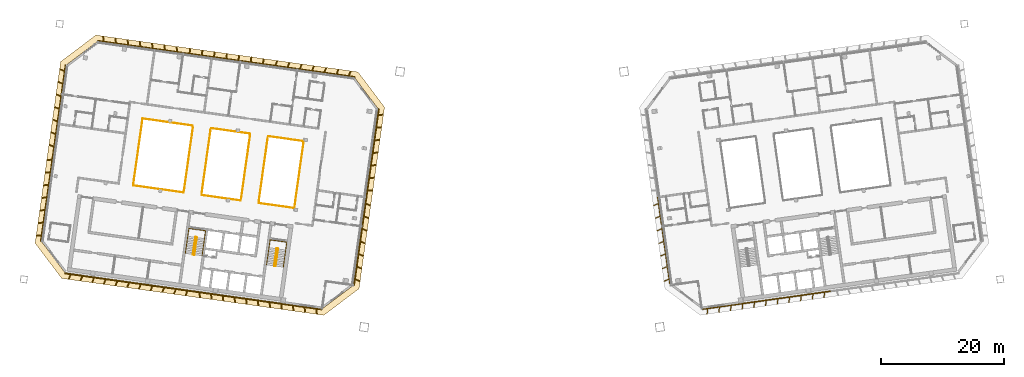
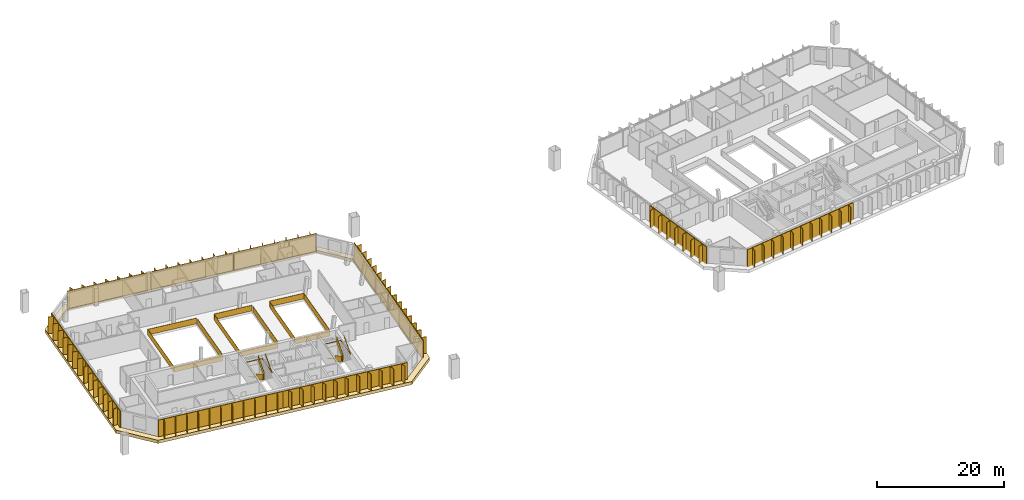
# One storey, part 19 of 20: 12 railings, 11 shading devices, 1 covering.
"""IFC4 building model written with IfcOpenShell, lengths in metres."""

from ifc_helpers import new_model, si_unit, direction, frame, origin, origin_2d, place, context, subcontext, project, spatial, polyline, rectangle, outline, extrude, material, layer, layer_set, type_object, element, save


model = new_model("IFC4")

# Units and contexts
model_context = context("Model", 3, precision=1e-05, world=origin(), true_north=direction((0.0, 1.0)))
body_context = subcontext(model_context, "Body", "Model", "MODEL_VIEW")
ifc_project = project(units=[si_unit("LENGTHUNIT", "METRE"), si_unit("AREAUNIT", "SQUARE_METRE"), si_unit("VOLUMEUNIT", "CUBIC_METRE"), si_unit("PLANEANGLEUNIT", "RADIAN"), si_unit("MASSUNIT", "GRAM", prefix="KILO")], contexts=[model_context])

# Site, building, storey
site_placement = place(None, origin())
site = spatial("IfcSite", under=ifc_project, at=site_placement, CompositionType="ELEMENT")
building_placement = place(site_placement, origin())
building = spatial("IfcBuilding", under=site, at=building_placement, Name="Mirante Cascada Hotel Towers", CompositionType="ELEMENT")
storey_placement = place(building_placement, frame((0.0, 0.0, 224.2)))
storey = spatial("IfcBuildingStorey", under=building, at=storey_placement, Name="L53", CompositionType="ELEMENT", Elevation=224.2)

# Railings
ifc_material_1 = material(Name="Toughened glass with stainless steel handrail", Category="steel")
railing_type_1 = type_object("IfcRailingType", Name="Atrium guard 1100 glass balustrade", PredefinedType="GUARDRAIL", material=ifc_material_1)
railing_1_placement = place(storey_placement, frame((-39.6676, 7.0334, 0.0)))
element("IfcRailing", 1, at=railing_1_placement, inside=storey, type_object=railing_type_1, Name="GUARD 1-L53-1", PredefinedType="GUARDRAIL", context=body_context, shape_type="SweptSolid", body=[
    extrude(rectangle(XDim=0.048, YDim=0.048, at=origin_2d()), frame((0.0, 0.0, 1.076), z_axis=(0.9902677, -0.139176, 0.0), x_axis=(0.139176, 0.9902677, 0.0)), (0.0, 0.0, 1.0), 5.8307),
    extrude(rectangle(XDim=0.02, YDim=1.052, at=origin_2d()), frame((0.0, 0.0, 0.526), z_axis=(0.9902677, -0.139176, 0.0), x_axis=(0.139176, 0.9902677, 0.0)), (0.0, 0.0, 1.0), 5.8307),
    extrude(rectangle(XDim=0.048, YDim=0.048, at=origin_2d()), frame((5.774, -0.8115, 1.076), z_axis=(-0.1391733, -0.990268, 0.0), x_axis=(0.990268, -0.1391733, 0.0)), (0.0, 0.0, 1.0), 11.0),
    extrude(rectangle(XDim=0.02, YDim=1.052, at=origin_2d()), frame((5.774, -0.8115, 0.526), z_axis=(-0.1391733, -0.990268, 0.0), x_axis=(0.990268, -0.1391733, 0.0)), (0.0, 0.0, 1.0), 11.0),
    extrude(rectangle(XDim=0.048, YDim=0.048, at=origin_2d()), frame((4.2431, -11.7044, 1.076), z_axis=(-0.99027, 0.1391592, 0.0), x_axis=(-0.1391592, -0.99027, 0.0)), (0.0, 0.0, 1.0), 5.8307),
    extrude(rectangle(XDim=0.02, YDim=1.052, at=origin_2d()), frame((4.2431, -11.7044, 0.526), z_axis=(-0.99027, 0.1391592, 0.0), x_axis=(-0.1391592, -0.99027, 0.0)), (0.0, 0.0, 1.0), 5.8307),
])
railing_2_placement = place(storey_placement, frame((-44.1693, -3.4421, 0.0)))
element("IfcRailing", 2, at=railing_2_placement, inside=storey, type_object=railing_type_1, Name="GUARD 1-L53-2", PredefinedType="GUARDRAIL", context=body_context, shape_type="SweptSolid", body=[
    extrude(rectangle(XDim=0.048, YDim=0.048, at=origin_2d()), frame((0.0, 0.0, 1.076), z_axis=(-0.9902678, 0.1391752, 0.0), x_axis=(-0.1391752, -0.9902678, 0.0)), (0.0, 0.0, 1.0), 6.3898),
    extrude(rectangle(XDim=0.02, YDim=1.052, at=origin_2d()), frame((0.0, 0.0, 0.526), z_axis=(-0.9902678, 0.1391752, 0.0), x_axis=(-0.1391752, -0.9902678, 0.0)), (0.0, 0.0, 1.0), 6.3898),
    extrude(rectangle(XDim=0.048, YDim=0.048, at=origin_2d()), frame((-6.3276, 0.8893, 1.076), z_axis=(1.0, 0.0, 0.0), x_axis=(0.0, 1.0, 0.0)), (0.0, 0.0, 1.0), 0.0001),
    extrude(rectangle(XDim=0.02, YDim=1.052, at=origin_2d()), frame((-6.3276, 0.8893, 0.526), z_axis=(1.0, 0.0, 0.0), x_axis=(0.0, 1.0, 0.0)), (0.0, 0.0, 1.0), 0.0001),
])
railing_3_placement = place(storey_placement, frame((-48.9659, 8.3402, 0.0)))
element("IfcRailing", 3, at=railing_3_placement, inside=storey, type_object=railing_type_1, Name="GUARD 1-L53-3", PredefinedType="GUARDRAIL", context=body_context, shape_type="SweptSolid", body=[
    extrude(rectangle(XDim=0.048, YDim=0.048, at=origin_2d()), frame((0.0, 0.0, 1.076), z_axis=(0.9902675, -0.1391774, 0.0), x_axis=(0.1391774, 0.9902675, 0.0)), (0.0, 0.0, 1.0), 6.3897),
    extrude(rectangle(XDim=0.02, YDim=1.052, at=origin_2d()), frame((0.0, 0.0, 0.526), z_axis=(0.9902675, -0.1391774, 0.0), x_axis=(0.1391774, 0.9902675, 0.0)), (0.0, 0.0, 1.0), 6.3897),
])
railing_4_placement = place(storey_placement, frame((-53.4677, -2.1352, 0.0)))
element("IfcRailing", 4, at=railing_4_placement, inside=storey, type_object=railing_type_1, Name="GUARD 1-L53-4", PredefinedType="GUARDRAIL", context=body_context, shape_type="SweptSolid", body=[
    extrude(rectangle(XDim=0.048, YDim=0.048, at=origin_2d()), frame((0.0, 0.0, 1.076), z_axis=(-0.9902694, 0.1391636, 0.0), x_axis=(-0.1391636, -0.9902694, 0.0)), (0.0, 0.0, 1.0), 8.2795),
    extrude(rectangle(XDim=0.02, YDim=1.052, at=origin_2d()), frame((0.0, 0.0, 0.526), z_axis=(-0.9902694, 0.1391636, 0.0), x_axis=(-0.1391636, -0.9902694, 0.0)), (0.0, 0.0, 1.0), 8.2795),
    extrude(rectangle(XDim=0.048, YDim=0.048, at=origin_2d()), frame((-8.1989, 1.1522, 1.076), z_axis=(0.1391721, 0.9902682, 0.0), x_axis=(-0.9902682, 0.1391721, 0.0)), (0.0, 0.0, 1.0), 11.0001),
    extrude(rectangle(XDim=0.02, YDim=1.052, at=origin_2d()), frame((-8.1989, 1.1522, 0.526), z_axis=(0.1391721, 0.9902682, 0.0), x_axis=(-0.9902682, 0.1391721, 0.0)), (0.0, 0.0, 1.0), 11.0001),
    extrude(rectangle(XDim=0.048, YDim=0.048, at=origin_2d()), frame((-6.668, 12.0452, 1.076), z_axis=(0.9902677, -0.1391754, 0.0), x_axis=(0.1391754, 0.9902677, 0.0)), (0.0, 0.0, 1.0), 8.2795),
    extrude(rectangle(XDim=0.02, YDim=1.052, at=origin_2d()), frame((-6.668, 12.0452, 0.526), z_axis=(0.9902677, -0.1391754, 0.0), x_axis=(0.1391754, 0.9902677, 0.0)), (0.0, 0.0, 1.0), 8.2795),
])
railing_5_placement = place(storey_placement, frame((-53.3779, -1.8493, 0.0)))
element("IfcRailing", 5, at=railing_5_placement, inside=storey, type_object=railing_type_1, Name="GUARD 1-L53-5", PredefinedType="GUARDRAIL", context=body_context, shape_type="SweptSolid", body=[
    extrude(rectangle(XDim=0.048, YDim=0.048, at=origin_2d()), frame((0.0, 0.0, 1.076), z_axis=(0.1391721, 0.9902682, 0.0), x_axis=(-0.9902682, 0.1391721, 0.0)), (0.0, 0.0, 1.0), 10.4087),
    extrude(rectangle(XDim=0.02, YDim=1.052, at=origin_2d()), frame((0.0, 0.0, 0.526), z_axis=(0.1391721, 0.9902682, 0.0), x_axis=(-0.9902682, 0.1391721, 0.0)), (0.0, 0.0, 1.0), 10.4087),
])
railing_6_placement = place(storey_placement, frame((-49.0557, 8.0542, 0.0)))
element("IfcRailing", 6, at=railing_6_placement, inside=storey, type_object=railing_type_1, Name="GUARD 1-L53-6", PredefinedType="GUARDRAIL", context=body_context, shape_type="SweptSolid", body=[
    extrude(rectangle(XDim=0.048, YDim=0.048, at=origin_2d()), frame((0.0, 0.0, 1.076), z_axis=(-0.1391721, -0.9902682, 0.0), x_axis=(0.9902682, -0.1391721, 0.0)), (0.0, 0.0, 1.0), 10.4087),
    extrude(rectangle(XDim=0.02, YDim=1.052, at=origin_2d()), frame((0.0, 0.0, 0.526), z_axis=(-0.1391721, -0.9902682, 0.0), x_axis=(0.9902682, -0.1391721, 0.0)), (0.0, 0.0, 1.0), 10.4087),
])
railing_7_placement = place(storey_placement, frame((-44.0795, -3.1561, 0.0)))
element("IfcRailing", 7, at=railing_7_placement, inside=storey, type_object=railing_type_1, Name="GUARD 1-L53-7", PredefinedType="GUARDRAIL", context=body_context, shape_type="SweptSolid", body=[
    extrude(rectangle(XDim=0.048, YDim=0.048, at=origin_2d()), frame((0.0, 0.0, 1.076), z_axis=(0.1391721, 0.9902682, 0.0), x_axis=(-0.9902682, 0.1391721, 0.0)), (0.0, 0.0, 1.0), 10.4087),
    extrude(rectangle(XDim=0.02, YDim=1.052, at=origin_2d()), frame((0.0, 0.0, 0.526), z_axis=(0.1391721, 0.9902682, 0.0), x_axis=(-0.9902682, 0.1391721, 0.0)), (0.0, 0.0, 1.0), 10.4087),
])
railing_8_placement = place(storey_placement, frame((-39.7573, 6.7474, 0.0)))
element("IfcRailing", 8, at=railing_8_placement, inside=storey, type_object=railing_type_1, Name="GUARD 1-L53-8", PredefinedType="GUARDRAIL", context=body_context, shape_type="SweptSolid", body=[
    extrude(rectangle(XDim=0.048, YDim=0.048, at=origin_2d()), frame((0.0, 0.0, 1.076), z_axis=(-0.1391721, -0.9902682, 0.0), x_axis=(0.9902682, -0.1391721, 0.0)), (0.0, 0.0, 1.0), 10.4087),
    extrude(rectangle(XDim=0.02, YDim=1.052, at=origin_2d()), frame((0.0, 0.0, 0.526), z_axis=(-0.1391721, -0.9902682, 0.0), x_axis=(0.9902682, -0.1391721, 0.0)), (0.0, 0.0, 1.0), 10.4087),
])

# Covering
ifc_material_2 = material(Name="Precast concrete C40/50 white", Category="concrete")
ifc_layer = layer(ifc_material_2, 0.6)
ifc_layer_set = layer_set([ifc_layer], Name="Precast concrete SUNSHADE band 1000x600")
covering_type = type_object("IfcCoveringType", Name="Precast concrete SUNSHADE band 1000x600", PredefinedType="CLADDING", material=ifc_layer_set)
covering_placement = place(storey_placement, frame((0.0, 0.0, -0.45)))
element("IfcCovering", 9, at=covering_placement, inside=storey, type_object=covering_type, Name="Precast concrete SUNSHADE band T1 L53", PredefinedType="CLADDING", context=body_context, shape_type="SweptSolid", body=[
    extrude(outline(polyline([(-77.628, -10.3671), (-73.4767, 19.171), (-67.7326, 23.4995), (-25.0694, 17.5036), (-20.7409, 11.7595), (-24.8923, -17.7786), (-30.6364, -22.1071), (-73.2995, -16.1112), (-77.628, -10.3671)]), holes=[polyline([(-21.7889, 11.4885), (-25.6188, 16.571), (-67.4616, 22.4516), (-72.5441, 18.6217), (-76.5801, -10.0961), (-72.7501, -15.1786), (-30.9074, -21.0592), (-25.8249, -17.2293), (-21.7889, 11.4885)])]), origin(), (0.0, 0.0, 1.0), 0.6),
])

# Railings
ifc_material_3 = material(Name="Painted steel", Category="steel")
railing_type_2 = type_object("IfcRailingType", Name="Stair guard 1100 steel balustrade", PredefinedType="GUARDRAIL", material=ifc_material_3)
railing_9_placement = place(storey_placement, frame((-38.1178, -11.2603, 0.0)))
element("IfcRailing", 10, at=railing_9_placement, inside=storey, type_object=railing_type_2, Name="L53 ST1-A stair guard 1", PredefinedType="GUARDRAIL", context=body_context, shape_type="SweptSolid", body=[
    extrude(rectangle(XDim=0.048, YDim=0.048, at=origin_2d()), frame((0.0, 0.0, 1.076), z_axis=(-0.9903326, 0.1387133, 0.0), x_axis=(-0.1387133, -0.9903326, 0.0)), (0.0, 0.0, 1.0), 0.1499),
    extrude(rectangle(XDim=0.02, YDim=1.052, at=origin_2d()), frame((0.0, 0.0, 0.526), z_axis=(-0.9903326, 0.1387133, 0.0), x_axis=(-0.1387133, -0.9903326, 0.0)), (0.0, 0.0, 1.0), 0.1499),
    extrude(rectangle(XDim=0.048, YDim=0.048, at=origin_2d()), frame((-0.1485, 0.0208, 1.076), z_axis=(-0.7991505, -0.6011309, 0.0), x_axis=(0.6011309, -0.7991505, 0.0)), (0.0, 0.9254529, 0.3788627), 0.1866),
    extrude(rectangle(XDim=0.02, YDim=1.052, at=origin_2d()), frame((-0.1485, 0.0208, 0.526), z_axis=(-0.7991505, -0.6011309, 0.0), x_axis=(0.6011309, -0.7991505, 0.0)), (0.0, 0.9254529, 0.3788627), 0.1866),
    extrude(rectangle(XDim=0.048, YDim=0.048, at=origin_2d()), frame((-0.205, -0.0217, 1.2487), z_axis=(-0.139176, -0.9902677, 0.0), x_axis=(0.9902677, -0.139176, 0.0)), (0.0, 0.5250212, 0.8510891), 3.29),
    extrude(rectangle(XDim=0.02, YDim=1.052, at=origin_2d()), frame((-0.205, -0.0217, 0.6987), z_axis=(-0.139176, -0.9902677, 0.0), x_axis=(0.9902677, -0.139176, 0.0)), (0.0, 0.5250212, 0.8510891), 3.29),
    extrude(rectangle(XDim=0.048, YDim=0.048, at=origin_2d()), frame((-0.5947, -2.7945, 2.976), z_axis=(0.9270311, -0.3749843, 0.0), x_axis=(0.3749843, 0.9270311, 0.0)), (0.0, 0.0, 1.0), 0.2061),
    extrude(rectangle(XDim=0.02, YDim=1.052, at=origin_2d()), frame((-0.5947, -2.7945, 2.426), z_axis=(0.9270311, -0.3749843, 0.0), x_axis=(0.3749843, 0.9270311, 0.0)), (0.0, 0.0, 1.0), 0.2061),
    extrude(rectangle(XDim=0.048, YDim=0.048, at=origin_2d()), frame((-0.4036, -2.8718, 2.976), z_axis=(-0.9902408, 0.1393672, 0.0), x_axis=(-0.1393672, -0.9902408, 0.0)), (0.0, 0.0, 1.0), 0.15),
    extrude(rectangle(XDim=0.02, YDim=1.052, at=origin_2d()), frame((-0.4036, -2.8718, 2.426), z_axis=(-0.9902408, 0.1393672, 0.0), x_axis=(-0.1393672, -0.9902408, 0.0)), (0.0, 0.0, 1.0), 0.15),
    extrude(rectangle(XDim=0.048, YDim=0.048, at=origin_2d()), frame((-0.5521, -2.8509, 2.976), z_axis=(0.9944948, 0.1047858, 0.0), x_axis=(-0.1047858, 0.9944948, 0.0)), (0.0, 0.6422034, 0.7665343), 0.2689),
    extrude(rectangle(XDim=0.02, YDim=1.052, at=origin_2d()), frame((-0.5521, -2.8509, 2.426), z_axis=(0.9944948, 0.1047858, 0.0), x_axis=(-0.1047858, 0.9944948, 0.0)), (0.0, 0.6422034, 0.7665343), 0.2689),
    extrude(rectangle(XDim=0.048, YDim=0.048, at=origin_2d()), frame((-0.3471, -2.8293, 3.1487), z_axis=(0.139176, 0.9902677, 0.0), x_axis=(-0.9902677, 0.139176, 0.0)), (0.0, 0.5250212, 0.8510891), 3.29),
    extrude(rectangle(XDim=0.02, YDim=1.052, at=origin_2d()), frame((-0.3471, -2.8293, 2.5987), z_axis=(0.139176, 0.9902677, 0.0), x_axis=(-0.9902677, 0.139176, 0.0)), (0.0, 0.5250212, 0.8510891), 3.29),
])
railing_10_placement = place(storey_placement, frame((-51.3379, -9.4024, 0.0)))
element("IfcRailing", 11, at=railing_10_placement, inside=storey, type_object=railing_type_2, Name="L53 ST1-B stair guard 1", PredefinedType="GUARDRAIL", context=body_context, shape_type="SweptSolid", body=[
    extrude(rectangle(XDim=0.048, YDim=0.048, at=origin_2d()), frame((0.0, 0.0, 1.076), z_axis=(-0.9902408, 0.1393672, 0.0), x_axis=(-0.1393672, -0.9902408, 0.0)), (0.0, 0.0, 1.0), 0.15),
    extrude(rectangle(XDim=0.02, YDim=1.052, at=origin_2d()), frame((0.0, 0.0, 0.526), z_axis=(-0.9902408, 0.1393672, 0.0), x_axis=(-0.1393672, -0.9902408, 0.0)), (0.0, 0.0, 1.0), 0.15),
    extrude(rectangle(XDim=0.048, YDim=0.048, at=origin_2d()), frame((-0.1485, 0.0209, 1.076), z_axis=(-0.7984711, -0.6020331, 0.0), x_axis=(0.6020331, -0.7984711, 0.0)), (0.0, 0.9253398, 0.3791387), 0.1866),
    extrude(rectangle(XDim=0.02, YDim=1.052, at=origin_2d()), frame((-0.1485, 0.0209, 0.526), z_axis=(-0.7984711, -0.6020331, 0.0), x_axis=(0.6020331, -0.7984711, 0.0)), (0.0, 0.9253398, 0.3791387), 0.1866),
    extrude(rectangle(XDim=0.048, YDim=0.048, at=origin_2d()), frame((-0.205, -0.0217, 1.2487), z_axis=(-0.139181, -0.990267, 0.0), x_axis=(0.990267, -0.139181, 0.0)), (0.0, 0.5250347, 0.8510808), 3.2899),
    extrude(rectangle(XDim=0.02, YDim=1.052, at=origin_2d()), frame((-0.205, -0.0217, 0.6987), z_axis=(-0.139181, -0.990267, 0.0), x_axis=(0.990267, -0.139181, 0.0)), (0.0, 0.5250347, 0.8510808), 3.2899),
    extrude(rectangle(XDim=0.048, YDim=0.048, at=origin_2d()), frame((-0.5947, -2.7944, 2.976), z_axis=(0.9268624, -0.3754011, 0.0), x_axis=(0.3754011, 0.9268624, 0.0)), (0.0, 0.0, 1.0), 0.2062),
    extrude(rectangle(XDim=0.02, YDim=1.052, at=origin_2d()), frame((-0.5947, -2.7944, 2.426), z_axis=(0.9268624, -0.3754011, 0.0), x_axis=(0.3754011, 0.9268624, 0.0)), (0.0, 0.0, 1.0), 0.2062),
    extrude(rectangle(XDim=0.048, YDim=0.048, at=origin_2d()), frame((-0.4036, -2.8718, 2.976), z_axis=(-0.9902408, 0.1393672, 0.0), x_axis=(-0.1393672, -0.9902408, 0.0)), (0.0, 0.0, 1.0), 0.15),
    extrude(rectangle(XDim=0.02, YDim=1.052, at=origin_2d()), frame((-0.4036, -2.8718, 2.426), z_axis=(-0.9902408, 0.1393672, 0.0), x_axis=(-0.1393672, -0.9902408, 0.0)), (0.0, 0.0, 1.0), 0.15),
    extrude(rectangle(XDim=0.048, YDim=0.048, at=origin_2d()), frame((-0.5521, -2.8509, 2.976), z_axis=(0.9944441, 0.1052656, 0.0), x_axis=(-0.1052656, 0.9944441, 0.0)), (0.0, 0.6421842, 0.7665504), 0.2689),
    extrude(rectangle(XDim=0.02, YDim=1.052, at=origin_2d()), frame((-0.5521, -2.8509, 2.426), z_axis=(0.9944441, 0.1052656, 0.0), x_axis=(-0.1052656, 0.9944441, 0.0)), (0.0, 0.6421842, 0.7665504), 0.2689),
    extrude(rectangle(XDim=0.048, YDim=0.048, at=origin_2d()), frame((-0.3471, -2.8292, 3.1487), z_axis=(0.139181, 0.990267, 0.0), x_axis=(-0.990267, 0.139181, 0.0)), (0.0, 0.5250347, 0.8510808), 3.2899),
    extrude(rectangle(XDim=0.02, YDim=1.052, at=origin_2d()), frame((-0.3471, -2.8292, 2.5987), z_axis=(0.139181, 0.990267, 0.0), x_axis=(-0.990267, 0.139181, 0.0)), (0.0, 0.5250347, 0.8510808), 3.2899),
])
ifc_material_4 = material(Name="Painted steel", Category="steel")
railing_type_3 = type_object("IfcRailingType", Name="Stair handrail 900 steel tube", PredefinedType="HANDRAIL", material=ifc_material_4)
railing_11_placement = place(storey_placement, frame((-39.5606, -11.1081, 0.1727)))
element("IfcRailing", 12, at=railing_11_placement, inside=storey, type_object=railing_type_3, Name="L53 ST1-A stair handrail 1", PredefinedType="HANDRAIL", context=body_context, shape_type="SweptSolid", body=[
    extrude(rectangle(XDim=0.048, YDim=0.048, at=origin_2d()), frame((0.0, 0.0, 0.876), z_axis=(-0.139181, -0.990267, 0.0), x_axis=(0.990267, -0.139181, 0.0)), (0.0, 0.5250347, 0.8510808), 3.2899),
    extrude(rectangle(XDim=0.048, YDim=0.048, at=origin_2d()), frame((-0.3897, -2.7727, 2.6033), z_axis=(0.1391707, 0.9902684, 0.0), x_axis=(-0.9902684, 0.1391707, 0.0)), (0.0, 0.0420846, 0.999114), 4.1036),
    extrude(rectangle(XDim=0.048, YDim=0.048, at=origin_2d()), frame((0.1809, 1.2874, 2.776), z_axis=(0.9902691, -0.1391657, 0.0), x_axis=(0.1391657, 0.9902691, 0.0)), (0.0, 0.0, 1.0), 2.75),
    extrude(rectangle(XDim=0.048, YDim=0.048, at=origin_2d()), frame((2.9041, 0.9047, 2.776), z_axis=(-0.1391707, -0.9902684, 0.0), x_axis=(0.9902684, -0.1391707, 0.0)), (0.0, 0.0, 1.0), 4.1),
    extrude(rectangle(XDim=0.048, YDim=0.048, at=origin_2d()), frame((2.3335, -3.1554, 2.776), z_axis=(0.139181, 0.990267, 0.0), x_axis=(-0.990267, 0.139181, 0.0)), (0.0, 0.5250347, 0.8510808), 3.2899),
])
railing_12_placement = place(storey_placement, frame((-52.7807, -9.2501, 0.1727)))
element("IfcRailing", 13, at=railing_12_placement, inside=storey, type_object=railing_type_3, Name="L53 ST1-B stair handrail 1", PredefinedType="HANDRAIL", context=body_context, shape_type="SweptSolid", body=[
    extrude(rectangle(XDim=0.048, YDim=0.048, at=origin_2d()), frame((0.0, 0.0, 0.876), z_axis=(-0.139181, -0.990267, 0.0), x_axis=(0.990267, -0.139181, 0.0)), (0.0, 0.5250347, 0.8510808), 3.2899),
    extrude(rectangle(XDim=0.048, YDim=0.048, at=origin_2d()), frame((-0.3897, -2.7727, 2.6033), z_axis=(0.1391707, 0.9902684, 0.0), x_axis=(-0.9902684, 0.1391707, 0.0)), (0.0, 0.0420846, 0.999114), 4.1036),
    extrude(rectangle(XDim=0.048, YDim=0.048, at=origin_2d()), frame((0.1809, 1.2874, 2.776), z_axis=(0.9902641, -0.1392013, 0.0), x_axis=(0.1392013, 0.9902641, 0.0)), (0.0, 0.0, 1.0), 2.75),
    extrude(rectangle(XDim=0.048, YDim=0.048, at=origin_2d()), frame((2.9041, 0.9046, 2.776), z_axis=(-0.1391707, -0.9902684, 0.0), x_axis=(0.9902684, -0.1391707, 0.0)), (0.0, 0.0, 1.0), 4.1),
    extrude(rectangle(XDim=0.048, YDim=0.048, at=origin_2d()), frame((2.3335, -3.1555, 2.776), z_axis=(0.139176, 0.9902677, 0.0), x_axis=(-0.9902677, 0.139176, 0.0)), (0.0, 0.5250212, 0.8510891), 3.29),
])

# Shading devices
ifc_material_5 = material(Name="White precast concrete C50/60 fin", Category="concrete")
shading_device_type = type_object("IfcShadingDeviceType", Name="Vertical fin set 4500x900", PredefinedType="USERDEFINED", material=ifc_material_5)
shading_device_1_placement = place(storey_placement, origin())
element("IfcShadingDevice", 14, at=shading_device_1_placement, inside=storey, type_object=shading_device_type, Name="FIN T1 L53 front 1", ObjectType="FIN", PredefinedType="USERDEFINED", context=body_context, shape_type="SweptSolid", body=[
    extrude(outline(polyline([(-54.4616, 20.7761), (-53.4931, 20.6399), (-53.514, 20.4914), (-67.4616, 22.4516), (-67.4407, 22.6001), (-66.4987, 22.4678), (-66.6008, 23.299), (-66.5214, 23.3088), (-66.4167, 22.4562), (-64.5062, 22.1877), (-64.6083, 23.019), (-64.5289, 23.0288), (-64.4242, 22.1762), (-62.5137, 21.9077), (-62.6158, 22.739), (-62.5363, 22.7487), (-62.4317, 21.8962), (-60.5212, 21.6277), (-60.6232, 22.4589), (-60.5438, 22.4687), (-60.4392, 21.6161), (-58.5287, 21.3476), (-58.6307, 22.1789), (-58.5513, 22.1887), (-58.4466, 21.3361), (-56.5361, 21.0676), (-56.6382, 21.8989), (-56.5588, 21.9086), (-56.4541, 21.0561), (-54.5436, 20.7876), (-54.6457, 21.6189), (-54.5663, 21.6286), (-54.4616, 20.7761)])), origin(), (0.0, 0.0, 1.0), 3.35),
])
shading_device_2_placement = place(storey_placement, origin())
element("IfcShadingDevice", 15, at=shading_device_2_placement, inside=storey, type_object=shading_device_type, Name="FIN T1 L53 front 2", ObjectType="FIN", PredefinedType="USERDEFINED", context=body_context, shape_type="SweptSolid", body=[
    extrude(outline(polyline([(-40.5021, 18.8142), (-39.5455, 18.6797), (-39.5664, 18.5312), (-53.514, 20.4914), (-53.4931, 20.6399), (-52.5365, 20.5055), (-52.4182, 21.3472), (-52.3389, 21.3361), (-52.4572, 20.4944), (-50.5439, 20.2255), (-50.4256, 21.0672), (-50.3464, 21.0561), (-50.4647, 20.2143), (-48.5514, 19.9454), (-48.4331, 20.7872), (-48.3539, 20.776), (-48.4722, 19.9343), (-46.5589, 19.6654), (-46.4406, 20.5071), (-46.3614, 20.496), (-46.4797, 19.6543), (-44.5664, 19.3854), (-44.4481, 20.2271), (-44.3689, 20.216), (-44.4872, 19.3742), (-42.5739, 19.1053), (-42.4556, 19.9471), (-42.3764, 19.9359), (-42.4947, 19.0942), (-40.5814, 18.8253), (-40.4631, 19.667), (-40.3839, 19.6559), (-40.5021, 18.8142)])), origin(), (0.0, 0.0, 1.0), 3.35),
])
shading_device_3_placement = place(storey_placement, origin())
element("IfcShadingDevice", 16, at=shading_device_3_placement, inside=storey, type_object=shading_device_type, Name="FIN T1 L53 front 3", ObjectType="FIN", PredefinedType="USERDEFINED", context=body_context, shape_type="SweptSolid", body=[
    extrude(outline(polyline([(-26.5399, 16.8519), (-25.5979, 16.7195), (-25.6188, 16.571), (-39.5664, 18.5312), (-39.5455, 18.6797), (-38.577, 18.5436), (-38.2414, 19.3343), (-38.1677, 19.303), (-38.495, 18.5321), (-36.5845, 18.2636), (-36.2489, 19.0543), (-36.1752, 19.023), (-36.5025, 18.2521), (-34.592, 17.9836), (-34.2563, 18.7742), (-34.1827, 18.743), (-34.5099, 17.972), (-32.5994, 17.7035), (-32.2638, 18.4942), (-32.1902, 18.4629), (-32.5174, 17.692), (-30.6069, 17.4235), (-30.2713, 18.2142), (-30.1977, 18.1829), (-30.5249, 17.412), (-28.6144, 17.1435), (-28.2788, 17.9341), (-28.2052, 17.9029), (-28.5324, 17.1319), (-26.6219, 16.8634), (-26.2863, 17.6541), (-26.2126, 17.6229), (-26.5399, 16.8519)])), origin(), (0.0, 0.0, 1.0), 3.35),
])
shading_device_4_placement = place(storey_placement, origin())
element("IfcShadingDevice", 17, at=shading_device_4_placement, inside=storey, type_object=shading_device_type, Name="FIN T1 L53 inner 1", ObjectType="FIN", PredefinedType="USERDEFINED", context=body_context, shape_type="SweptSolid", body=[
    extrude(outline(polyline([(-23.5181, -1.8934), (-23.6583, -2.8913), (-23.8069, -2.8704), (-21.7889, 11.4885), (-21.6403, 11.4676), (-21.7768, 10.4963), (-20.9456, 10.5983), (-20.9358, 10.5189), (-21.7884, 10.4142), (-22.0651, 8.445), (-21.2338, 8.5471), (-21.2241, 8.4677), (-22.0766, 8.363), (-22.3534, 6.3937), (-21.5221, 6.4958), (-21.5124, 6.4164), (-22.3649, 6.3117), (-22.6417, 4.3425), (-21.8104, 4.4445), (-21.8007, 4.3651), (-22.6532, 4.2604), (-22.93, 2.2912), (-22.0987, 2.3933), (-22.089, 2.3138), (-22.9415, 2.2092), (-23.2183, 0.2399), (-22.387, 0.342), (-22.3772, 0.2626), (-23.2298, 0.1579), (-23.5066, -1.8114), (-22.6753, -1.7093), (-22.6655, -1.7887), (-23.5181, -1.8934)])), origin(), (0.0, 0.0, 1.0), 3.35),
])
shading_device_5_placement = place(storey_placement, origin())
element("IfcShadingDevice", 18, at=shading_device_5_placement, inside=storey, type_object=shading_device_type, Name="FIN T1 L53 inner 2", ObjectType="FIN", PredefinedType="USERDEFINED", context=body_context, shape_type="SweptSolid", body=[
    extrude(outline(polyline([(-25.5398, -16.2788), (-25.6763, -17.2502), (-25.8249, -17.2293), (-23.8069, -2.8704), (-23.6583, -2.8913), (-23.7986, -3.8892), (-23.0079, -4.2248), (-23.0392, -4.2984), (-23.8101, -3.9712), (-24.0869, -5.9404), (-23.2962, -6.276), (-23.3274, -6.3497), (-24.0984, -6.0224), (-24.3751, -7.9917), (-23.5845, -8.3273), (-23.6157, -8.401), (-24.3867, -8.0737), (-24.6634, -10.043), (-23.8728, -10.3786), (-23.904, -10.4522), (-24.675, -10.125), (-24.9517, -12.0942), (-24.161, -12.4299), (-24.1923, -12.5035), (-24.9632, -12.1763), (-25.24, -14.1455), (-24.4493, -14.4811), (-24.4806, -14.5548), (-25.2515, -14.2275), (-25.5283, -16.1968), (-24.7376, -16.5324), (-24.7689, -16.606), (-25.5398, -16.2788)])), origin(), (0.0, 0.0, 1.0), 3.35),
])
shading_device_6_placement = place(storey_placement, origin())
element("IfcShadingDevice", 19, at=shading_device_6_placement, inside=storey, type_object=shading_device_type, Name="FIN T1 L53 outer 1", ObjectType="FIN", PredefinedType="USERDEFINED", context=body_context, shape_type="SweptSolid", body=[
    extrude(outline(polyline([(-76.5806, -9.0218), (-76.3038, -7.0526), (-77.1351, -7.1547), (-77.1448, -7.0753), (-76.2923, -6.9706), (-76.0155, -5.0013), (-76.8468, -5.1034), (-76.8565, -5.024), (-76.004, -4.9193), (-75.7272, -2.9501), (-76.5585, -3.0521), (-76.5683, -2.9727), (-75.7157, -2.868), (-75.4389, -0.8988), (-76.2702, -1.0009), (-76.28, -0.9214), (-75.4274, -0.8168), (-75.1507, 1.1525), (-75.9819, 1.0504), (-75.9917, 1.1298), (-75.1391, 1.2345), (-74.8624, 3.2038), (-75.6937, 3.1017), (-75.7034, 3.1811), (-74.8508, 3.2858), (-74.7106, 4.2837), (-74.5621, 4.2628), (-76.5801, -10.0961), (-76.7286, -10.0752), (-76.5921, -9.1039), (-77.4234, -9.2059), (-77.4331, -9.1265), (-76.5806, -9.0218)])), origin(), (0.0, 0.0, 1.0), 3.35),
])
shading_device_7_placement = place(storey_placement, origin())
element("IfcShadingDevice", 20, at=shading_device_7_placement, inside=storey, type_object=shading_device_type, Name="FIN T1 L53 outer 2", ObjectType="FIN", PredefinedType="USERDEFINED", context=body_context, shape_type="SweptSolid", body=[
    extrude(outline(polyline([(-74.5588, 5.3636), (-74.2821, 7.3328), (-75.0727, 7.6684), (-75.0415, 7.7421), (-74.2705, 7.4148), (-73.9938, 9.3841), (-74.7845, 9.7197), (-74.7532, 9.7934), (-73.9823, 9.4661), (-73.7055, 11.4354), (-74.4962, 11.771), (-74.4649, 11.8446), (-73.694, 11.5174), (-73.4172, 13.4866), (-74.2079, 13.8223), (-74.1766, 13.8959), (-73.4057, 13.5687), (-73.1289, 15.5379), (-73.9196, 15.8735), (-73.8883, 15.9472), (-73.1174, 15.6199), (-72.8406, 17.5892), (-73.6313, 17.9248), (-73.6, 17.9984), (-72.8291, 17.6712), (-72.6926, 18.6426), (-72.5441, 18.6217), (-74.5621, 4.2628), (-74.7106, 4.2837), (-74.5704, 5.2816), (-75.361, 5.6172), (-75.3298, 5.6908), (-74.5588, 5.3636)])), origin(), (0.0, 0.0, 1.0), 3.35),
])
shading_device_8_placement = place(storey_placement, origin())
element("IfcShadingDevice", 21, at=shading_device_8_placement, inside=storey, type_object=shading_device_type, Name="FIN T1 L53 rear 1", ObjectType="FIN", PredefinedType="USERDEFINED", context=body_context, shape_type="SweptSolid", body=[
    extrude(outline(polyline([(-43.3186, -19.4664), (-45.1385, -19.2106), (-45.0365, -20.0419), (-45.1159, -20.0516), (-45.2206, -19.1991), (-47.0405, -18.9433), (-46.9384, -19.7746), (-47.0178, -19.7843), (-47.1225, -18.9318), (-48.9424, -18.676), (-48.8404, -19.5073), (-48.9198, -19.517), (-49.0245, -18.6645), (-50.8444, -18.4087), (-50.7423, -19.24), (-50.8217, -19.2497), (-50.9264, -18.3972), (-51.8496, -18.2674), (-51.8288, -18.1189), (-30.9074, -21.0592), (-30.9282, -21.2077), (-31.8249, -21.0817), (-31.7229, -21.913), (-31.8023, -21.9227), (-31.907, -21.0702), (-33.7269, -20.8144), (-33.6248, -21.6457), (-33.7042, -21.6554), (-33.8089, -20.8029), (-35.6288, -20.5471), (-35.5268, -21.3784), (-35.6062, -21.3881), (-35.7108, -20.5356), (-37.5308, -20.2798), (-37.4287, -21.1111), (-37.5081, -21.1208), (-37.6128, -20.2683), (-39.4327, -20.0125), (-39.3306, -20.8438), (-39.4101, -20.8535), (-39.5147, -20.001), (-41.3347, -19.7452), (-41.2326, -20.5765), (-41.312, -20.5862), (-41.4167, -19.7337), (-43.2366, -19.4779), (-43.1345, -20.3092), (-43.2139, -20.3189), (-43.3186, -19.4664)])), origin(), (0.0, 0.0, 1.0), 3.35),
])
shading_device_9_placement = place(storey_placement, origin())
element("IfcShadingDevice", 22, at=shading_device_9_placement, inside=storey, type_object=shading_device_type, Name="FIN T1 L53 rear 2", ObjectType="FIN", PredefinedType="USERDEFINED", context=body_context, shape_type="SweptSolid", body=[
    extrude(outline(polyline([(-62.3646, -16.7896), (-64.1845, -16.5339), (-64.5201, -17.3245), (-64.5938, -17.2933), (-64.2665, -16.5223), (-66.0865, -16.2666), (-66.4221, -17.0572), (-66.4957, -17.026), (-66.1685, -16.255), (-67.9884, -15.9993), (-68.324, -16.7899), (-68.3977, -16.7587), (-68.0704, -15.9877), (-69.8904, -15.732), (-70.226, -16.5226), (-70.2996, -16.4914), (-69.9724, -15.7204), (-71.7923, -15.4647), (-72.1279, -16.2553), (-72.2016, -16.2241), (-71.8743, -15.4531), (-72.771, -15.3271), (-72.7501, -15.1786), (-51.8288, -18.1189), (-51.8496, -18.2674), (-52.7729, -18.1377), (-53.1085, -18.9284), (-53.1821, -18.8971), (-52.8549, -18.1262), (-54.6748, -17.8704), (-55.0104, -18.6611), (-55.0841, -18.6298), (-54.7568, -17.8589), (-56.5768, -17.6031), (-56.9124, -18.3938), (-56.986, -18.3625), (-56.6588, -17.5916), (-58.4787, -17.3358), (-58.8143, -18.1264), (-58.888, -18.0952), (-58.5607, -17.3243), (-60.3806, -17.0685), (-60.7163, -17.8591), (-60.7899, -17.8279), (-60.4627, -17.057), (-62.2826, -16.8012), (-62.6182, -17.5918), (-62.6918, -17.5606), (-62.3646, -16.7896)])), origin(), (0.0, 0.0, 1.0), 3.35),
])
shading_device_10_placement = place(storey_placement, origin())
element("IfcShadingDevice", 23, at=shading_device_10_placement, inside=storey, type_object=shading_device_type, Name="FIN T2 L53 inner 2", ObjectType="FIN", PredefinedType="USERDEFINED", context=body_context, shape_type="SweptSolid", body=[
    extrude(outline(polyline([(24.7376, -16.5324), (25.5283, -16.1968), (25.2515, -14.2275), (24.4806, -14.5548), (24.4493, -14.4811), (25.24, -14.1455), (24.9632, -12.1763), (24.1923, -12.5035), (24.161, -12.4299), (24.9517, -12.0942), (24.675, -10.125), (23.904, -10.4522), (23.8728, -10.3786), (24.6634, -10.043), (24.3867, -8.0737), (23.6157, -8.401), (23.5845, -8.3273), (24.3751, -7.9917), (24.0984, -6.0224), (23.3274, -6.3497), (23.2962, -6.276), (24.0869, -5.9404), (23.8101, -3.9712), (23.0392, -4.2984), (23.0079, -4.2248), (23.7986, -3.8892), (23.6583, -2.8913), (23.8069, -2.8704), (25.8249, -17.2293), (25.6763, -17.2502), (25.5398, -16.2788), (24.7689, -16.606), (24.7376, -16.5324)])), origin(), (0.0, 0.0, 1.0), 3.35),
])
shading_device_11_placement = place(storey_placement, origin())
element("IfcShadingDevice", 24, at=shading_device_11_placement, inside=storey, type_object=shading_device_type, Name="FIN T2 L53 rear 1", ObjectType="FIN", PredefinedType="USERDEFINED", context=body_context, shape_type="SweptSolid", body=[
    extrude(outline(polyline([(31.7229, -21.913), (31.8249, -21.0817), (30.9282, -21.2077), (30.9074, -21.0592), (51.8288, -18.1189), (51.8496, -18.2674), (50.9264, -18.3972), (50.8217, -19.2497), (50.7423, -19.24), (50.8444, -18.4087), (49.0245, -18.6645), (48.9198, -19.517), (48.8404, -19.5073), (48.9424, -18.676), (47.1225, -18.9318), (47.0178, -19.7843), (46.9384, -19.7746), (47.0405, -18.9433), (45.2206, -19.1991), (45.1159, -20.0516), (45.0365, -20.0419), (45.1385, -19.2106), (43.3186, -19.4664), (43.2139, -20.3189), (43.1345, -20.3092), (43.2366, -19.4779), (41.4167, -19.7337), (41.312, -20.5862), (41.2326, -20.5765), (41.3347, -19.7452), (39.5147, -20.001), (39.4101, -20.8535), (39.3306, -20.8438), (39.4327, -20.0125), (37.6128, -20.2683), (37.5081, -21.1208), (37.4287, -21.1111), (37.5308, -20.2798), (35.7108, -20.5356), (35.6062, -21.3881), (35.5268, -21.3784), (35.6288, -20.5471), (33.8089, -20.8029), (33.7042, -21.6554), (33.6248, -21.6457), (33.7269, -20.8144), (31.907, -21.0702), (31.8023, -21.9227), (31.7229, -21.913)])), origin(), (0.0, 0.0, 1.0), 3.35),
])

save(model, "model.ifc")
